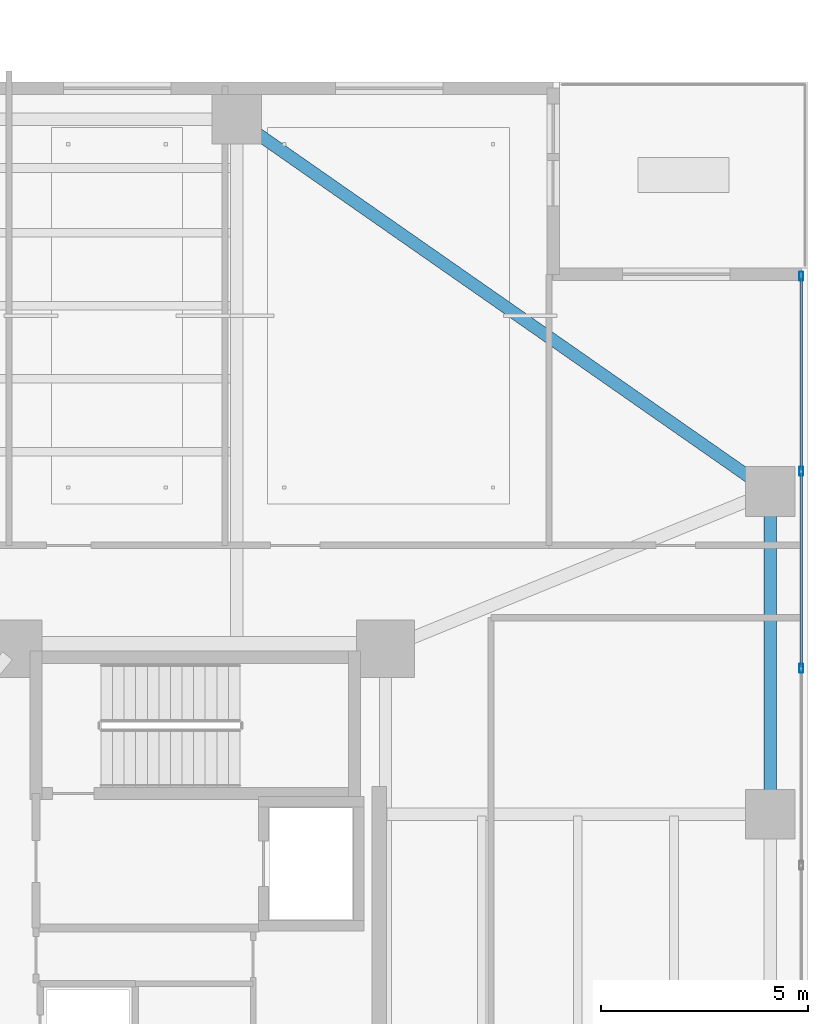
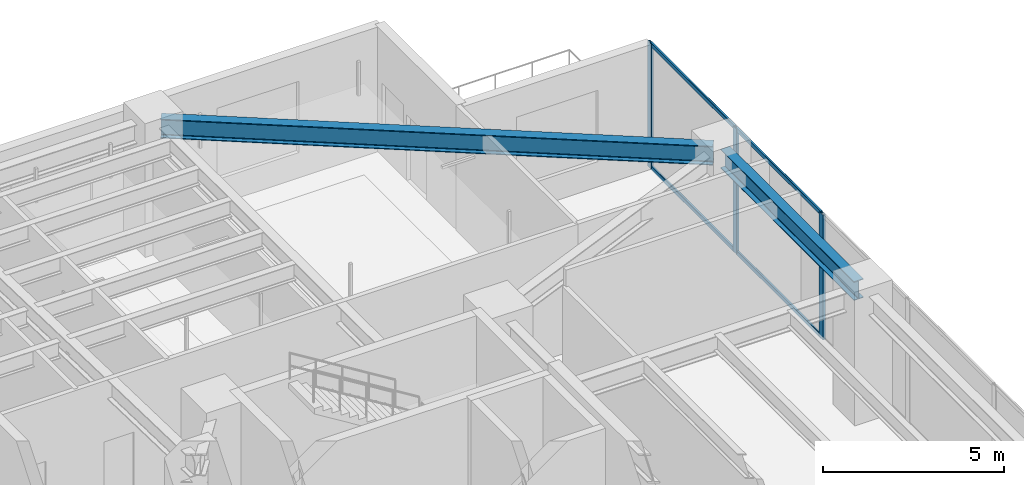
# One storey, part 26 of 39: 7 members, 2 beams, 1 element without a shape of its own.
"""IFC4 building model written with IfcOpenShell, lengths in metres."""

from ifc_helpers import new_model, si_unit, direction, frame, origin, origin_2d, place, context, subcontext, project, spatial, hollow_rectangle, i_section, extrude, material, layer, layer_set, material_profile, profile_set, type_object, element, aggregate, save


model = new_model("IFC4")

# Units and contexts
model_context = context("Model", 3, precision=1e-05, world=origin(), true_north=direction((0.0, 1.0)))
body_context = subcontext(model_context, "Body", "Model", "MODEL_VIEW")
ifc_project = project(units=[si_unit("LENGTHUNIT", "METRE"), si_unit("AREAUNIT", "SQUARE_METRE"), si_unit("VOLUMEUNIT", "CUBIC_METRE"), si_unit("PLANEANGLEUNIT", "RADIAN"), si_unit("MASSUNIT", "GRAM", prefix="KILO")], contexts=[model_context])

# Site, building, storey
site_placement = place(None, origin())
site = spatial("IfcSite", under=ifc_project, at=site_placement, CompositionType="ELEMENT")
building_placement = place(site_placement, origin())
building = spatial("IfcBuilding", under=site, at=building_placement, Name="Tarnavaz Court Tower", CompositionType="ELEMENT")
storey_placement = place(building_placement, frame((0.0, 0.0, 68.699951171875)))
storey = spatial("IfcBuildingStorey", under=building, at=storey_placement, Name="L18", CompositionType="ELEMENT", Elevation=68.699951171875)

# Beams
ifc_material_1 = material(Name="Steel S355", Category="steel")
ifc_material_profile_1 = material_profile(ifc_material_1, i_section(OverallWidth=0.300048828125, OverallDepth=0.639892578125, WebThickness=0.013427734375, FlangeThickness=0.02587890625, FilletRadius=0.027099609375, at=origin_2d()), Name="HEA 650")
ifc_profile_set_1 = profile_set([ifc_material_profile_1], Name="Steel S355")
beam_type = type_object("IfcBeamType", Name="BM-SP-HEA650", PredefinedType="SPANDREL", material=ifc_profile_set_1)
beam_1_placement = place(storey_placement, frame((27.89990234375, 6.219970703125, 3.880126953125), z_axis=(0.0, 1.0, 0.0), x_axis=(-1.0, 0.0, 0.0)))
element("IfcBeam", 1, at=beam_1_placement, inside=storey, type_object=beam_type, Name="L18 Beam PR-PE-3-PE-4", PredefinedType="SPANDREL", context=body_context, shape_type="SweptSolid", body=[
    extrude(i_section(OverallWidth=0.300048828125, OverallDepth=0.639892578125, WebThickness=0.013427734375, FlangeThickness=0.02587890625, FilletRadius=0.027099609375, at=origin_2d()), origin(), (0.0, 0.0, 1.0), 7.360107421875),
])
beam_2_placement = place(storey_placement, frame((15.180419921875, 22.674072265625, 3.880126953125), z_axis=(0.820123643324, -0.572186341729, 0.0), x_axis=(0.572186341729, 0.820123643324, 0.0)))
element("IfcBeam", 2, at=beam_2_placement, inside=storey, type_object=beam_type, Name="L18 Beam PR-PN-4-PE-4", PredefinedType="SPANDREL", context=body_context, shape_type="SweptSolid", body=[
    extrude(i_section(OverallWidth=0.300048828125, OverallDepth=0.639892578125, WebThickness=0.013427734375, FlangeThickness=0.02587890625, FilletRadius=0.027099609375, at=origin_2d()), origin(), (0.0, 0.0, 1.0), 15.289306640625),
])

# Curtain wall, members
ifc_material_2 = material(Name="Anodised Aluminium 6063-T6 and Solar Low-E Glazing", Category="aluminium")
ifc_layer = layer(ifc_material_2, 0.199951171875)
ifc_layer_set = layer_set([ifc_layer], Name="Anodised Aluminium 6063-T6 and Solar Low-E Glazing")
curtain_wall_type = type_object("IfcCurtainWallType", Name="CW-SYS-05", PredefinedType="NOTDEFINED", material=ifc_layer_set)
curtain_wall_placement = place(storey_placement, origin())
curtain_wall = element("IfcCurtainWall", 3, at=curtain_wall_placement, inside=storey, type_object=curtain_wall_type, Name="L18 Sky-Portal Curtain Wall 12", PredefinedType="NOTDEFINED")
ifc_material_3 = material(Name="Anodised Aluminium 6063-T6", Category="aluminium")
ifc_material_profile_2 = material_profile(ifc_material_3, hollow_rectangle(XDim=0.0849609375, YDim=0.219970703125, WallThickness=0.006103515625, InnerFilletRadius=0.006103515625, OuterFilletRadius=0.011962890625, at=origin_2d()), Name="ALU RHS 220X85X6")
ifc_profile_set_2 = profile_set([ifc_material_profile_2], Name="Anodised Aluminium 6063-T6")
member_type_1 = type_object("IfcMemberType", Name="CW-MUL-220", PredefinedType="MULLION", material=ifc_profile_set_2)
member_1_placement = place(storey_placement, frame((28.64990234375, 19.007568359375, 0.0), z_axis=(0.0, 0.0, 1.0), x_axis=(1.0, 0.0, 0.0)))
member_1 = element("IfcMember", 4, at=member_1_placement, type_object=member_type_1, Name="CW mullion 1", PredefinedType="MULLION", context=body_context, shape_type="SweptSolid", body=[
    extrude(hollow_rectangle(XDim=0.0849609375, YDim=0.219970703125, WallThickness=0.006103515625, InnerFilletRadius=0.006103515625, OuterFilletRadius=0.011962890625, at=origin_2d()), origin(), (0.0, 0.0, 1.0), 4.199951171875),
])
member_2_placement = place(storey_placement, frame((28.64990234375, 14.28759765625, 0.0), z_axis=(0.0, 0.0, 1.0), x_axis=(1.0, 0.0, 0.0)))
member_2 = element("IfcMember", 5, at=member_2_placement, type_object=member_type_1, Name="CW mullion 2", PredefinedType="MULLION", context=body_context, shape_type="SweptSolid", body=[
    extrude(hollow_rectangle(XDim=0.0849609375, YDim=0.219970703125, WallThickness=0.006103515625, InnerFilletRadius=0.006103515625, OuterFilletRadius=0.011962890625, at=origin_2d()), origin(), (0.0, 0.0, 1.0), 4.199951171875),
])
member_3_placement = place(storey_placement, frame((28.64990234375, 9.52490234375, 0.0), z_axis=(0.0, 0.0, 1.0), x_axis=(1.0, 0.0, 0.0)))
member_3 = element("IfcMember", 6, at=member_3_placement, type_object=member_type_1, Name="CW mullion 3", PredefinedType="MULLION", context=body_context, shape_type="SweptSolid", body=[
    extrude(hollow_rectangle(XDim=0.0849609375, YDim=0.219970703125, WallThickness=0.006103515625, InnerFilletRadius=0.006103515625, OuterFilletRadius=0.011962890625, at=origin_2d()), origin(), (0.0, 0.0, 1.0), 4.199951171875),
])
ifc_material_profile_3 = material_profile(ifc_material_3, hollow_rectangle(XDim=0.06494140625, YDim=0.139892578125, WallThickness=0.00390625, InnerFilletRadius=0.00390625, OuterFilletRadius=0.008056640625, at=origin_2d()), Name="ALU RHS 140X65X4")
ifc_profile_set_3 = profile_set([ifc_material_profile_3], Name="Anodised Aluminium 6063-T6")
member_type_2 = type_object("IfcMemberType", Name="CW-TRN-140", PredefinedType="USERDEFINED", material=ifc_profile_set_3)
member_4_placement = place(storey_placement, frame((28.64990234375, 18.965087890625, 0.032470703125), z_axis=(0.0, -1.0, 0.0), x_axis=(1.0, 0.0, 0.0)))
member_4 = element("IfcMember", 7, at=member_4_placement, type_object=member_type_2, Name="CW transom 1.1", ObjectType="TRANSOM", PredefinedType="USERDEFINED", context=body_context, shape_type="SweptSolid", body=[
    extrude(hollow_rectangle(XDim=0.06494140625, YDim=0.139892578125, WallThickness=0.00390625, InnerFilletRadius=0.00390625, OuterFilletRadius=0.008056640625, at=origin_2d()), origin(), (0.0, 0.0, 1.0), 4.635009765625),
])
member_5_placement = place(storey_placement, frame((28.64990234375, 18.965087890625, 4.16748046875), z_axis=(0.0, -1.0, 0.0), x_axis=(1.0, 0.0, 0.0)))
member_5 = element("IfcMember", 8, at=member_5_placement, type_object=member_type_2, Name="CW transom 1.2", ObjectType="TRANSOM", PredefinedType="USERDEFINED", context=body_context, shape_type="SweptSolid", body=[
    extrude(hollow_rectangle(XDim=0.06494140625, YDim=0.139892578125, WallThickness=0.00390625, InnerFilletRadius=0.00390625, OuterFilletRadius=0.008056640625, at=origin_2d()), origin(), (0.0, 0.0, 1.0), 4.635009765625),
])
member_6_placement = place(storey_placement, frame((28.64990234375, 14.2451171875, 0.032470703125), z_axis=(0.0, -1.0, 0.0), x_axis=(1.0, 0.0, 0.0)))
member_6 = element("IfcMember", 9, at=member_6_placement, type_object=member_type_2, Name="CW transom 2.1", ObjectType="TRANSOM", PredefinedType="USERDEFINED", context=body_context, shape_type="SweptSolid", body=[
    extrude(hollow_rectangle(XDim=0.06494140625, YDim=0.139892578125, WallThickness=0.00390625, InnerFilletRadius=0.00390625, OuterFilletRadius=0.008056640625, at=origin_2d()), origin(), (0.0, 0.0, 1.0), 4.677734375),
])
member_7_placement = place(storey_placement, frame((28.64990234375, 14.2451171875, 4.16748046875), z_axis=(0.0, -1.0, 0.0), x_axis=(1.0, 0.0, 0.0)))
member_7 = element("IfcMember", 10, at=member_7_placement, type_object=member_type_2, Name="CW transom 2.2", ObjectType="TRANSOM", PredefinedType="USERDEFINED", context=body_context, shape_type="SweptSolid", body=[
    extrude(hollow_rectangle(XDim=0.06494140625, YDim=0.139892578125, WallThickness=0.00390625, InnerFilletRadius=0.00390625, OuterFilletRadius=0.008056640625, at=origin_2d()), origin(), (0.0, 0.0, 1.0), 4.677734375),
])
aggregate(curtain_wall, [member_1, member_2, member_3, member_4, member_5, member_6, member_7])

save(model, "model.ifc")
